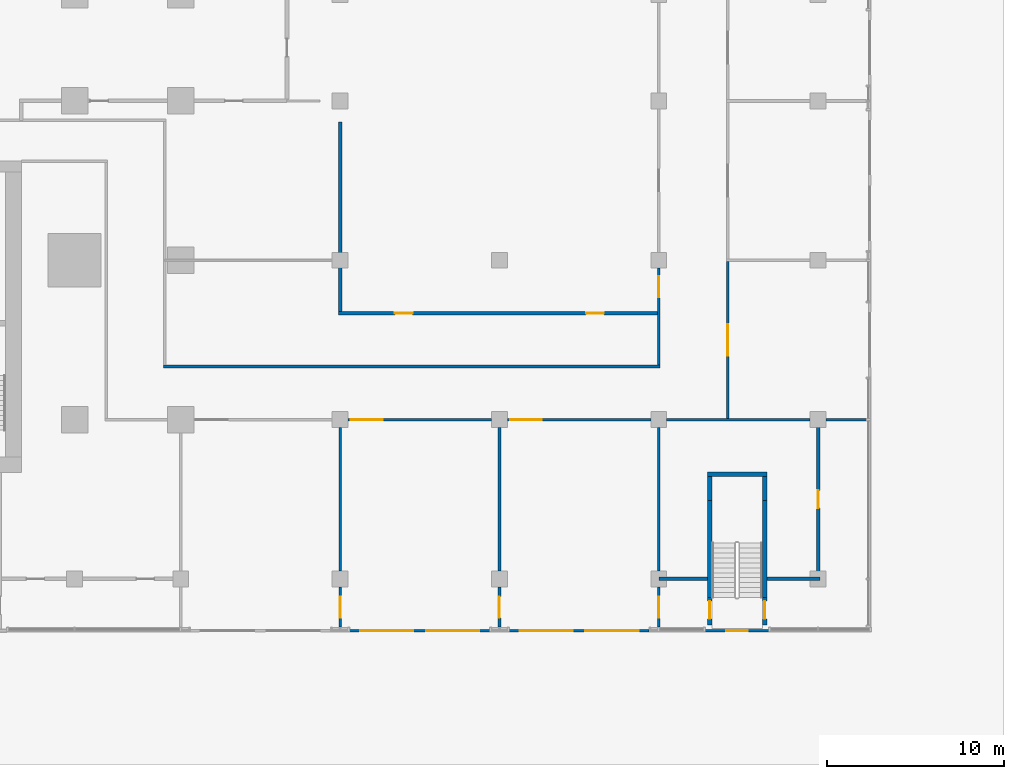
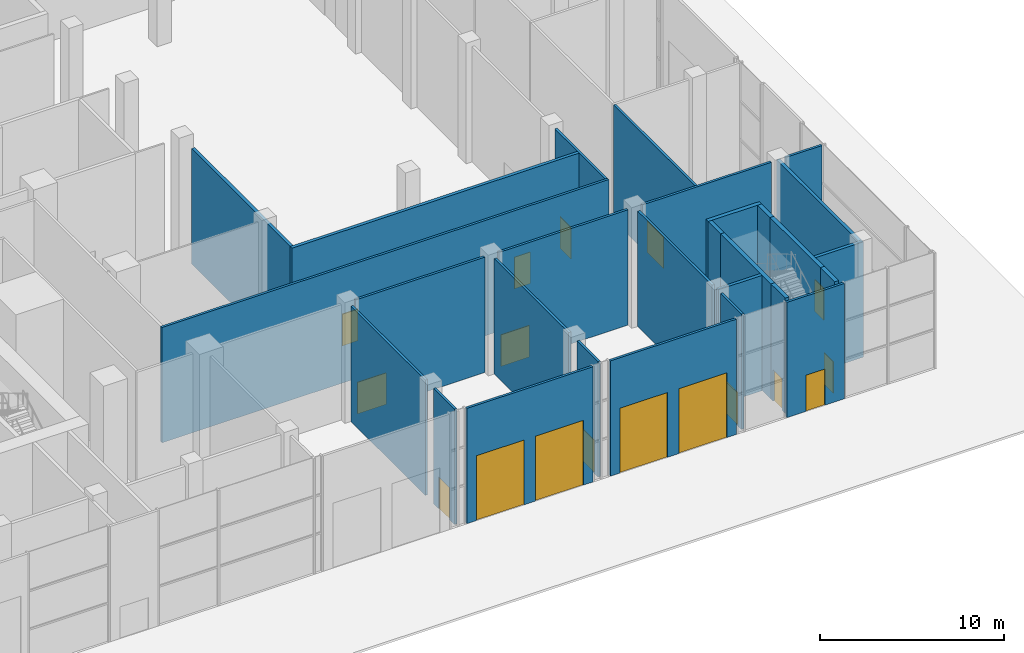
# One storey, part 22 of 29: 28 walls, 17 doors, 17 openings.
"""IFC4 building model written with IfcOpenShell, lengths in metres."""

from ifc_helpers import new_model, si_unit, direction, frame, frame_2d, origin, place, context, subcontext, project, spatial, rectangle, extrude, material, layer, layer_set, type_object, element, fill, save


model = new_model("IFC4")

# Units and contexts
model_context = context("Model", 3, precision=1e-05, world=origin(), true_north=direction((0.0, 1.0)))
body_context = subcontext(model_context, "Body", "Model", "MODEL_VIEW")
ifc_project = project(units=[si_unit("LENGTHUNIT", "METRE"), si_unit("AREAUNIT", "SQUARE_METRE"), si_unit("VOLUMEUNIT", "CUBIC_METRE"), si_unit("PLANEANGLEUNIT", "RADIAN"), si_unit("MASSUNIT", "GRAM", prefix="KILO")], contexts=[model_context])

# Site, building, storey
site_placement = place(None, origin())
site = spatial("IfcSite", under=ifc_project, at=site_placement, CompositionType="ELEMENT")
building_placement = place(site_placement, origin())
building = spatial("IfcBuilding", under=site, at=building_placement, Name="Finial Court Residences", CompositionType="ELEMENT")
storey_placement = place(building_placement, origin())
storey = spatial("IfcBuildingStorey", under=building, at=storey_placement, Name="L00", CompositionType="ELEMENT", Elevation=0.0)

# Walls
ifc_material_1 = material(Name="Gypsum board")
ifc_layer_1 = layer(ifc_material_1, 0.02490234375)
ifc_material_2 = material(Name="Acoustic mineral wool in double frame")
ifc_layer_2 = layer(ifc_material_2, 0.14990234375)
ifc_layer_3 = layer(ifc_material_1, 0.02490234375)
ifc_layer_set_1 = layer_set([ifc_layer_1, ifc_layer_2, ifc_layer_3], Name="Corridor wall 200, 1 hour")
wall_type_1 = type_object("IfcWallType", Name="Corridor wall 200, 1 hour", PredefinedType="PARTITIONING", material=ifc_layer_set_1)
wall_1_placement = place(storey_placement, frame((49.5, -31.5, 0.0), z_axis=(0.0, 0.0, 1.0), x_axis=(1.0, 0.0, 0.0)))
element("IfcWall", 1, at=wall_1_placement, inside=storey, type_object=wall_type_1, Name="Partition L00-004", PredefinedType="PARTITIONING", context=body_context, shape_type="SweptSolid", body=[
    extrude(rectangle(XDim=2.75, YDim=0.199951171875, at=frame_2d((1.375, 0.0))), origin(), (0.0, 0.0, 1.0), 7.64990234375),
])
wall_2_placement = place(storey_placement, frame((55.60009765625, -31.5, 0.0), z_axis=(0.0, 0.0, 1.0), x_axis=(1.0, 0.0, 0.0)))
element("IfcWall", 2, at=wall_2_placement, inside=storey, type_object=wall_type_1, Name="Partition L00-005", PredefinedType="PARTITIONING", context=body_context, shape_type="SweptSolid", body=[
    extrude(rectangle(XDim=3.0, YDim=0.199951171875, at=frame_2d((1.5, 0.0))), origin(), (0.0, 0.0, 1.0), 7.64990234375),
])

# Wall, openings, doors
wall_3_placement = place(storey_placement, frame((31.39990234375, -16.5, 0.0), z_axis=(0.0, 0.0, 1.0), x_axis=(1.0, 0.0, 0.0)))
wall_3 = element("IfcWall", 3, at=wall_3_placement, inside=storey, type_object=wall_type_1, Name="Partition L00-009", PredefinedType="PARTITIONING", context=body_context, shape_type="SweptSolid", body=[
    extrude(rectangle(XDim=18.10009765625, YDim=0.199951171875, at=frame_2d((9.050048828125, 0.0))), origin(), (0.0, 0.0, 1.0), 7.64990234375),
])
opening_1_placement = place(wall_3_placement, frame((3.199951171875, 0.0, 0.0)))
opening_1 = element("IfcOpeningElement", 4, at=opening_1_placement, cuts=wall_3, Name="Opening L00-D009", PredefinedType="OPENING", context=body_context, shape_type="SweptSolid", body=[
    extrude(rectangle(XDim=1.0, YDim=2.10009765625, at=frame_2d((0.5, 1.050048828125))), frame((0.0, 0.10986328125, 0.0), z_axis=(0.0, -1.0, 0.0), x_axis=(1.0, 0.0, 0.0)), (0.0, 0.0, 1.0), 0.219970703125),
])
opening_2_placement = place(wall_3_placement, frame((14.0, 0.0, 0.0)))
opening_2 = element("IfcOpeningElement", 5, at=opening_2_placement, cuts=wall_3, Name="Opening L00-D010", PredefinedType="OPENING", context=body_context, shape_type="SweptSolid", body=[
    extrude(rectangle(XDim=1.0, YDim=2.10009765625, at=frame_2d((0.5, 1.050048828125))), frame((0.0, 0.10986328125, 0.0), z_axis=(0.0, -1.0, 0.0), x_axis=(1.0, 0.0, 0.0)), (0.0, 0.0, 1.0), 0.219970703125),
])
ifc_material_3 = material(Name="Timber door leaf in hollow metal frame", Category="wood")
door_type_1 = type_object("IfcDoorType", Name="Fire door set 1000 x 2100, 30 minutes", OperationType="SINGLE_SWING_LEFT", PredefinedType="DOOR", material=ifc_material_3)
door_1_placement = place(opening_1_placement, origin())
door_1 = element("IfcDoor", 6, at=door_1_placement, inside=storey, type_object=door_type_1, Name="Door L00-D009", OperationType="SINGLE_SWING_LEFT", OverallHeight=2.10009765625, OverallWidth=1.0, PredefinedType="DOOR", context=body_context, shape_type="SweptSolid", body=[
    extrude(rectangle(XDim=1.0, YDim=2.10009765625, at=frame_2d((0.5, 1.050048828125))), frame((0.0, 0.02490234375, 0.0), z_axis=(0.0, -1.0, 0.0), x_axis=(1.0, 0.0, 0.0)), (0.0, 0.0, 1.0), 0.050048828125),
])
fill(opening_1, door_1)
door_2_placement = place(opening_2_placement, origin())
door_2 = element("IfcDoor", 7, at=door_2_placement, inside=storey, type_object=door_type_1, Name="Door L00-D010", OperationType="SINGLE_SWING_RIGHT", OverallHeight=2.10009765625, OverallWidth=1.0, PredefinedType="DOOR", context=body_context, shape_type="SweptSolid", body=[
    extrude(rectangle(XDim=1.0, YDim=2.10009765625, at=frame_2d((0.5, 1.050048828125))), frame((0.0, 0.02490234375, 0.0), z_axis=(0.0, -1.0, 0.0), x_axis=(1.0, 0.0, 0.0)), (0.0, 0.0, 1.0), 0.050048828125),
])
fill(opening_2, door_2)

# Wall
wall_4_placement = place(storey_placement, frame((31.5, -16.39990234375, 0.0), z_axis=(0.0, 0.0, 1.0), x_axis=(0.0, 1.0, 0.0)))
element("IfcWall", 8, at=wall_4_placement, inside=storey, type_object=wall_type_1, Name="Partition L00-048", PredefinedType="PARTITIONING", context=body_context, shape_type="SweptSolid", body=[
    extrude(rectangle(XDim=10.7099609375, YDim=0.199951171875, at=frame_2d((5.35498046875, 0.0))), origin(), (0.0, 0.0, 1.0), 7.64990234375),
])

# Wall, opening, door
wall_5_placement = place(storey_placement, frame((58.5, -31.39990234375, 0.0), z_axis=(0.0, 0.0, 1.0), x_axis=(0.0, 1.0, 0.0)))
wall_5 = element("IfcWall", 9, at=wall_5_placement, inside=storey, type_object=wall_type_1, Name="Partition L00-052", PredefinedType="PARTITIONING", context=body_context, shape_type="SweptSolid", body=[
    extrude(rectangle(XDim=8.89990234375, YDim=0.199951171875, at=frame_2d((4.449951171875, 0.0))), origin(), (0.0, 0.0, 1.0), 7.64990234375),
])
opening_3_placement = place(wall_5_placement, frame((3.89990234375, 0.0, 0.0)))
opening_3 = element("IfcOpeningElement", 10, at=opening_3_placement, cuts=wall_5, Name="Opening L00-D038", PredefinedType="OPENING", context=body_context, shape_type="SweptSolid", body=[
    extrude(rectangle(XDim=1.0, YDim=2.10009765625, at=frame_2d((0.5, 1.050048828125))), frame((0.0, 0.10986328125, 0.0), z_axis=(0.0, -1.0, 0.0), x_axis=(1.0, 0.0, 0.0)), (0.0, 0.0, 1.0), 0.219970703125),
])
door_3_placement = place(opening_3_placement, origin())
door_3 = element("IfcDoor", 11, at=door_3_placement, inside=storey, type_object=door_type_1, Name="Door L00-D038", OperationType="SINGLE_SWING_LEFT", OverallHeight=2.10009765625, OverallWidth=1.0, PredefinedType="DOOR", context=body_context, shape_type="SweptSolid", body=[
    extrude(rectangle(XDim=1.0, YDim=2.10009765625, at=frame_2d((0.5, 1.050048828125))), frame((0.0, 0.02490234375, 0.0), z_axis=(0.0, -1.0, 0.0), x_axis=(1.0, 0.0, 0.0)), (0.0, 0.0, 1.0), 0.050048828125),
])
fill(opening_3, door_3)

ifc_material_4 = material(Name="Natural limestone", Category="masonry")
ifc_layer_4 = layer(ifc_material_4, 0.14990234375)
ifc_layer_set_2 = layer_set([ifc_layer_4], Name="Entrance portal wall, limestone 150")
wall_type_2 = type_object("IfcWallType", Name="Entrance portal wall, limestone 150", PredefinedType="SOLIDWALL", material=ifc_layer_set_2)
wall_6_placement = place(storey_placement, frame((55.72509765625, -34.425048828125, 0.0), z_axis=(0.0, 0.0, 1.0), x_axis=(-1.0, 0.0, 0.0)))
wall_6 = element("IfcWall", 12, at=wall_6_placement, inside=storey, type_object=wall_type_2, Name="E-L00-ENT4", PredefinedType="SOLIDWALL", context=body_context, shape_type="SweptSolid", body=[
    extrude(rectangle(XDim=3.60009765625, YDim=0.14990234375, at=frame_2d((1.800048828125, 0.0))), origin(), (0.0, 0.0, 1.0), 7.64990234375),
])
opening_4_placement = place(wall_6_placement, frame((1.199951171875, 0.0, 0.0)))
opening_4 = element("IfcOpeningElement", 13, at=opening_4_placement, cuts=wall_6, Name="Opening DE00-04", PredefinedType="OPENING", context=body_context, shape_type="SweptSolid", body=[
    extrude(rectangle(XDim=1.199951171875, YDim=2.39990234375, at=frame_2d((0.60009765625, 1.199951171875))), frame((0.0, 0.0849609375, 0.0), z_axis=(0.0, -1.0, 0.0), x_axis=(1.0, 0.0, 0.0)), (0.0, 0.0, 1.0), 0.169921875),
])
ifc_material_5 = material(Name="Steel S355", Category="steel")
door_type_2 = type_object("IfcDoorType", Name="Stair discharge door 1200 x 2400", OperationType="SINGLE_SWING_LEFT", PredefinedType="DOOR", material=ifc_material_5)
door_4_placement = place(opening_4_placement, origin())
door_4 = element("IfcDoor", 14, at=door_4_placement, inside=storey, type_object=door_type_2, Name="E-L00-ENT4-D", OperationType="SINGLE_SWING_LEFT", OverallHeight=2.39990234375, OverallWidth=1.199951171875, PredefinedType="DOOR", context=body_context, shape_type="SweptSolid", body=[
    extrude(rectangle(XDim=1.199951171875, YDim=2.39990234375, at=frame_2d((0.60009765625, 1.199951171875))), frame((0.0, 0.02490234375, 0.0), z_axis=(0.0, -1.0, 0.0), x_axis=(1.0, 0.0, 0.0)), (0.0, 0.0, 1.0), 0.050048828125),
])
fill(opening_4, door_4)

# Wall, openings, doors
wall_7_placement = place(storey_placement, frame((39.958251953125, -34.425048828125, 0.0), z_axis=(0.0, 0.0, 1.0), x_axis=(-1.0, 0.0, 0.0)))
wall_7 = element("IfcWall", 15, at=wall_7_placement, inside=storey, type_object=wall_type_2, Name="E-L00-ENT25", PredefinedType="SOLIDWALL", context=body_context, shape_type="SweptSolid", body=[
    extrude(rectangle(XDim=7.91650390625, YDim=0.14990234375, at=frame_2d((3.958251953125, 0.0))), origin(), (0.0, 0.0, 1.0), 7.64990234375),
])
opening_5_placement = place(wall_7_placement, frame((4.316650390625, 0.0, 0.0)))
opening_5 = element("IfcOpeningElement", 16, at=opening_5_placement, cuts=wall_7, Name="Opening DE00-27", PredefinedType="OPENING", context=body_context, shape_type="SweptSolid", body=[
    extrude(rectangle(XDim=3.0, YDim=4.300048828125, at=frame_2d((1.5, 2.14990234375))), frame((0.0, 0.0849609375, 0.0), z_axis=(0.0, -1.0, 0.0), x_axis=(1.0, 0.0, 0.0)), (0.0, 0.0, 1.0), 0.169921875),
])
opening_6_placement = place(wall_7_placement, frame((0.60009765625, 0.0, 0.0)))
opening_6 = element("IfcOpeningElement", 17, at=opening_6_placement, cuts=wall_7, Name="Opening DE00-28", PredefinedType="OPENING", context=body_context, shape_type="SweptSolid", body=[
    extrude(rectangle(XDim=3.0, YDim=4.300048828125, at=frame_2d((1.5, 2.14990234375))), frame((0.0, 0.0849609375, 0.0), z_axis=(0.0, -1.0, 0.0), x_axis=(1.0, 0.0, 0.0)), (0.0, 0.0, 1.0), 0.169921875),
])
door_type_3 = type_object("IfcDoorType", Name="Dock door, overhead sectional 3000 x 4300", OperationType="ROLLINGUP", PredefinedType="DOOR", material=ifc_material_5)
door_5_placement = place(opening_5_placement, origin())
door_5 = element("IfcDoor", 18, at=door_5_placement, inside=storey, type_object=door_type_3, Name="E-L00-ENT25-D1", OperationType="ROLLINGUP", OverallHeight=4.300048828125, OverallWidth=3.0, PredefinedType="DOOR", context=body_context, shape_type="SweptSolid", body=[
    extrude(rectangle(XDim=3.0, YDim=4.300048828125, at=frame_2d((1.5, 2.14990234375))), frame((0.0, 0.02490234375, 0.0), z_axis=(0.0, -1.0, 0.0), x_axis=(1.0, 0.0, 0.0)), (0.0, 0.0, 1.0), 0.050048828125),
])
fill(opening_5, door_5)
door_6_placement = place(opening_6_placement, origin())
door_6 = element("IfcDoor", 19, at=door_6_placement, inside=storey, type_object=door_type_3, Name="E-L00-ENT25-D2", OperationType="ROLLINGUP", OverallHeight=4.300048828125, OverallWidth=3.0, PredefinedType="DOOR", context=body_context, shape_type="SweptSolid", body=[
    extrude(rectangle(XDim=3.0, YDim=4.300048828125, at=frame_2d((1.5, 2.14990234375))), frame((0.0, 0.02490234375, 0.0), z_axis=(0.0, -1.0, 0.0), x_axis=(1.0, 0.0, 0.0)), (0.0, 0.0, 1.0), 0.050048828125),
])
fill(opening_6, door_6)

wall_8_placement = place(storey_placement, frame((48.958251953125, -34.425048828125, 0.0), z_axis=(0.0, 0.0, 1.0), x_axis=(-1.0, 0.0, 0.0)))
wall_8 = element("IfcWall", 20, at=wall_8_placement, inside=storey, type_object=wall_type_2, Name="E-L00-ENT26", PredefinedType="SOLIDWALL", context=body_context, shape_type="SweptSolid", body=[
    extrude(rectangle(XDim=7.91650390625, YDim=0.14990234375, at=frame_2d((3.958251953125, 0.0))), origin(), (0.0, 0.0, 1.0), 7.64990234375),
])
opening_7_placement = place(wall_8_placement, frame((4.316650390625, 0.0, 0.0)))
opening_7 = element("IfcOpeningElement", 21, at=opening_7_placement, cuts=wall_8, Name="Opening DE00-29", PredefinedType="OPENING", context=body_context, shape_type="SweptSolid", body=[
    extrude(rectangle(XDim=3.0, YDim=4.300048828125, at=frame_2d((1.5, 2.14990234375))), frame((0.0, 0.0849609375, 0.0), z_axis=(0.0, -1.0, 0.0), x_axis=(1.0, 0.0, 0.0)), (0.0, 0.0, 1.0), 0.169921875),
])
opening_8_placement = place(wall_8_placement, frame((0.60009765625, 0.0, 0.0)))
opening_8 = element("IfcOpeningElement", 22, at=opening_8_placement, cuts=wall_8, Name="Opening DE00-30", PredefinedType="OPENING", context=body_context, shape_type="SweptSolid", body=[
    extrude(rectangle(XDim=3.0, YDim=4.300048828125, at=frame_2d((1.5, 2.14990234375))), frame((0.0, 0.0849609375, 0.0), z_axis=(0.0, -1.0, 0.0), x_axis=(1.0, 0.0, 0.0)), (0.0, 0.0, 1.0), 0.169921875),
])
door_7_placement = place(opening_7_placement, origin())
door_7 = element("IfcDoor", 23, at=door_7_placement, inside=storey, type_object=door_type_3, Name="E-L00-ENT26-D1", OperationType="ROLLINGUP", OverallHeight=4.300048828125, OverallWidth=3.0, PredefinedType="DOOR", context=body_context, shape_type="SweptSolid", body=[
    extrude(rectangle(XDim=3.0, YDim=4.300048828125, at=frame_2d((1.5, 2.14990234375))), frame((0.0, 0.02490234375, 0.0), z_axis=(0.0, -1.0, 0.0), x_axis=(1.0, 0.0, 0.0)), (0.0, 0.0, 1.0), 0.050048828125),
])
fill(opening_7, door_7)
door_8_placement = place(opening_8_placement, origin())
door_8 = element("IfcDoor", 24, at=door_8_placement, inside=storey, type_object=door_type_3, Name="E-L00-ENT26-D2", OperationType="ROLLINGUP", OverallHeight=4.300048828125, OverallWidth=3.0, PredefinedType="DOOR", context=body_context, shape_type="SweptSolid", body=[
    extrude(rectangle(XDim=3.0, YDim=4.300048828125, at=frame_2d((1.5, 2.14990234375))), frame((0.0, 0.02490234375, 0.0), z_axis=(0.0, -1.0, 0.0), x_axis=(1.0, 0.0, 0.0)), (0.0, 0.0, 1.0), 0.050048828125),
])
fill(opening_8, door_8)

# Wall, opening, door
ifc_material_6 = material(Name="Concrete C25/30", Category="concrete")
ifc_layer_5 = layer(ifc_material_6, 0.14990234375)
ifc_layer_set_3 = layer_set([ifc_layer_5], Name="Service partition 150 Concrete C25/30")
wall_type_3 = type_object("IfcWallType", Name="Service partition 150 Concrete C25/30", PredefinedType="PARTITIONING", material=ifc_layer_set_3)
wall_9_placement = place(storey_placement, frame((31.949951171875, -22.5, 0.0), z_axis=(0.0, 0.0, 1.0), x_axis=(1.0, 0.0, 0.0)))
wall_9 = element("IfcWall", 25, at=wall_9_placement, inside=storey, type_object=wall_type_3, Name="Service partition L00-V003", PredefinedType="PARTITIONING", context=body_context, shape_type="SweptSolid", body=[
    extrude(rectangle(XDim=8.10009765625, YDim=0.14990234375, at=frame_2d((4.050048828125, 0.0))), origin(), (0.0, 0.0, 1.0), 7.64990234375),
])
opening_9_placement = place(wall_9_placement, frame((0.14990234375, 0.0, 0.0)))
opening_9 = element("IfcOpeningElement", 26, at=opening_9_placement, cuts=wall_9, Name="Opening L00-V08", PredefinedType="OPENING", context=body_context, shape_type="SweptSolid", body=[
    extrude(rectangle(XDim=1.800048828125, YDim=2.10009765625, at=frame_2d((0.89990234375, 1.050048828125))), frame((0.0, 0.0849609375, 0.0), z_axis=(0.0, -1.0, 0.0), x_axis=(1.0, 0.0, 0.0)), (0.0, 0.0, 1.0), 0.169921875),
])
ifc_material_7 = material(Name="Steel fire door", Category="steel")
door_type_4 = type_object("IfcDoorType", Name="Service double door 1800 x 2100 EI 60", OperationType="DOUBLE_DOOR_SINGLE_SWING", PredefinedType="DOOR", material=ifc_material_7)
door_9_placement = place(opening_9_placement, origin())
door_9 = element("IfcDoor", 27, at=door_9_placement, inside=storey, type_object=door_type_4, Name="Service double door L00-V08", OperationType="DOUBLE_DOOR_SINGLE_SWING", OverallHeight=2.10009765625, OverallWidth=1.800048828125, PredefinedType="DOOR", context=body_context, shape_type="SweptSolid", body=[
    extrude(rectangle(XDim=1.800048828125, YDim=2.10009765625, at=frame_2d((0.89990234375, 1.050048828125))), frame((0.0, 0.02490234375, 0.0), z_axis=(0.0, -1.0, 0.0), x_axis=(1.0, 0.0, 0.0)), (0.0, 0.0, 1.0), 0.050048828125),
])
fill(opening_9, door_9)

wall_10_placement = place(storey_placement, frame((40.949951171875, -22.5, 0.0), z_axis=(0.0, 0.0, 1.0), x_axis=(1.0, 0.0, 0.0)))
wall_10 = element("IfcWall", 28, at=wall_10_placement, inside=storey, type_object=wall_type_3, Name="Service partition L00-V004", PredefinedType="PARTITIONING", context=body_context, shape_type="SweptSolid", body=[
    extrude(rectangle(XDim=8.10009765625, YDim=0.14990234375, at=frame_2d((4.050048828125, 0.0))), origin(), (0.0, 0.0, 1.0), 7.64990234375),
])
opening_10_placement = place(wall_10_placement, frame((0.14990234375, 0.0, 0.0)))
opening_10 = element("IfcOpeningElement", 29, at=opening_10_placement, cuts=wall_10, Name="Opening L00-V10", PredefinedType="OPENING", context=body_context, shape_type="SweptSolid", body=[
    extrude(rectangle(XDim=1.800048828125, YDim=2.10009765625, at=frame_2d((0.89990234375, 1.050048828125))), frame((0.0, 0.0849609375, 0.0), z_axis=(0.0, -1.0, 0.0), x_axis=(1.0, 0.0, 0.0)), (0.0, 0.0, 1.0), 0.169921875),
])
door_10_placement = place(opening_10_placement, origin())
door_10 = element("IfcDoor", 30, at=door_10_placement, inside=storey, type_object=door_type_4, Name="Service double door L00-V10", OperationType="DOUBLE_DOOR_SINGLE_SWING", OverallHeight=2.10009765625, OverallWidth=1.800048828125, PredefinedType="DOOR", context=body_context, shape_type="SweptSolid", body=[
    extrude(rectangle(XDim=1.800048828125, YDim=2.10009765625, at=frame_2d((0.89990234375, 1.050048828125))), frame((0.0, 0.02490234375, 0.0), z_axis=(0.0, -1.0, 0.0), x_axis=(1.0, 0.0, 0.0)), (0.0, 0.0, 1.0), 0.050048828125),
])
fill(opening_10, door_10)

# Walls
wall_11_placement = place(storey_placement, frame((49.949951171875, -22.5, 0.0), z_axis=(0.0, 0.0, 1.0), x_axis=(1.0, 0.0, 0.0)))
element("IfcWall", 31, at=wall_11_placement, inside=storey, type_object=wall_type_3, Name="Service partition L00-V005", PredefinedType="PARTITIONING", context=body_context, shape_type="SweptSolid", body=[
    extrude(rectangle(XDim=8.10009765625, YDim=0.14990234375, at=frame_2d((4.050048828125, 0.0))), origin(), (0.0, 0.0, 1.0), 7.64990234375),
])
wall_12_placement = place(storey_placement, frame((58.949951171875, -22.5, 0.0), z_axis=(0.0, 0.0, 1.0), x_axis=(1.0, 0.0, 0.0)))
element("IfcWall", 32, at=wall_12_placement, inside=storey, type_object=wall_type_3, Name="Service partition L00-V006", PredefinedType="PARTITIONING", context=body_context, shape_type="SweptSolid", body=[
    extrude(rectangle(XDim=2.275146484375, YDim=0.14990234375, at=frame_2d((1.1376953125, 0.0))), origin(), (0.0, 0.0, 1.0), 7.64990234375),
])
wall_13_placement = place(storey_placement, frame((21.52490234375, -19.5, 0.0), z_axis=(0.0, 0.0, 1.0), x_axis=(1.0, 0.0, 0.0)))
element("IfcWall", 33, at=wall_13_placement, inside=storey, type_object=wall_type_3, Name="Service partition L00-V007", PredefinedType="PARTITIONING", context=body_context, shape_type="SweptSolid", body=[
    extrude(rectangle(XDim=28.050048828125, YDim=0.14990234375, at=frame_2d((14.02490234375, 0.0))), origin(), (0.0, 0.0, 1.0), 7.64990234375),
])

# Wall, opening, door
wall_14_placement = place(storey_placement, frame((31.5, -31.949951171875, 0.0), z_axis=(0.0, 0.0, 1.0), x_axis=(0.0, -1.0, 0.0)))
wall_14 = element("IfcWall", 34, at=wall_14_placement, inside=storey, type_object=wall_type_3, Name="Service partition L00-V032", PredefinedType="PARTITIONING", context=body_context, shape_type="SweptSolid", body=[
    extrude(rectangle(XDim=2.275146484375, YDim=0.14990234375, at=frame_2d((1.1376953125, 0.0))), origin(), (0.0, 0.0, 1.0), 7.64990234375),
])
opening_11_placement = place(wall_14_placement, frame((0.550048828125, 0.0, 0.0)))
opening_11 = element("IfcOpeningElement", 35, at=opening_11_placement, cuts=wall_14, Name="Opening L00-V05", PredefinedType="OPENING", context=body_context, shape_type="SweptSolid", body=[
    extrude(rectangle(XDim=1.199951171875, YDim=2.10009765625, at=frame_2d((0.60009765625, 1.050048828125))), frame((0.0, 0.0849609375, 0.0), z_axis=(0.0, -1.0, 0.0), x_axis=(1.0, 0.0, 0.0)), (0.0, 0.0, 1.0), 0.169921875),
])
door_type_5 = type_object("IfcDoorType", Name="Service access door 1200 x 2100 EI 60", OperationType="NOTDEFINED", PredefinedType="DOOR", material=ifc_material_7)
door_11_placement = place(opening_11_placement, origin())
door_11 = element("IfcDoor", 36, at=door_11_placement, inside=storey, type_object=door_type_5, Name="Service access door L00-V05", OperationType="SINGLE_SWING_RIGHT", OverallHeight=2.10009765625, OverallWidth=1.199951171875, PredefinedType="DOOR", context=body_context, shape_type="SweptSolid", body=[
    extrude(rectangle(XDim=1.199951171875, YDim=2.10009765625, at=frame_2d((0.60009765625, 1.050048828125))), frame((0.0, 0.02490234375, 0.0), z_axis=(0.0, -1.0, 0.0), x_axis=(1.0, 0.0, 0.0)), (0.0, 0.0, 1.0), 0.050048828125),
])
fill(opening_11, door_11)

# Wall
wall_15_placement = place(storey_placement, frame((31.5, -31.050048828125, 0.0), z_axis=(0.0, 0.0, 1.0), x_axis=(0.0, 1.0, 0.0)))
element("IfcWall", 37, at=wall_15_placement, inside=storey, type_object=wall_type_3, Name="Service partition L00-V033", PredefinedType="PARTITIONING", context=body_context, shape_type="SweptSolid", body=[
    extrude(rectangle(XDim=8.10009765625, YDim=0.14990234375, at=frame_2d((4.050048828125, 0.0))), origin(), (0.0, 0.0, 1.0), 7.64990234375),
])

# Wall, opening, door
wall_16_placement = place(storey_placement, frame((40.5, -31.949951171875, 0.0), z_axis=(0.0, 0.0, 1.0), x_axis=(0.0, -1.0, 0.0)))
wall_16 = element("IfcWall", 38, at=wall_16_placement, inside=storey, type_object=wall_type_3, Name="Service partition L00-V034", PredefinedType="PARTITIONING", context=body_context, shape_type="SweptSolid", body=[
    extrude(rectangle(XDim=2.275146484375, YDim=0.14990234375, at=frame_2d((1.1376953125, 0.0))), origin(), (0.0, 0.0, 1.0), 7.64990234375),
])
opening_12_placement = place(wall_16_placement, frame((0.550048828125, 0.0, 0.0)))
opening_12 = element("IfcOpeningElement", 39, at=opening_12_placement, cuts=wall_16, Name="Opening L00-V07", PredefinedType="OPENING", context=body_context, shape_type="SweptSolid", body=[
    extrude(rectangle(XDim=1.199951171875, YDim=2.10009765625, at=frame_2d((0.60009765625, 1.050048828125))), frame((0.0, 0.0849609375, 0.0), z_axis=(0.0, -1.0, 0.0), x_axis=(1.0, 0.0, 0.0)), (0.0, 0.0, 1.0), 0.169921875),
])
door_12_placement = place(opening_12_placement, origin())
door_12 = element("IfcDoor", 40, at=door_12_placement, inside=storey, type_object=door_type_5, Name="Service access door L00-V07", OperationType="SINGLE_SWING_RIGHT", OverallHeight=2.10009765625, OverallWidth=1.199951171875, PredefinedType="DOOR", context=body_context, shape_type="SweptSolid", body=[
    extrude(rectangle(XDim=1.199951171875, YDim=2.10009765625, at=frame_2d((0.60009765625, 1.050048828125))), frame((0.0, 0.02490234375, 0.0), z_axis=(0.0, -1.0, 0.0), x_axis=(1.0, 0.0, 0.0)), (0.0, 0.0, 1.0), 0.050048828125),
])
fill(opening_12, door_12)

# Wall
wall_17_placement = place(storey_placement, frame((40.5, -31.050048828125, 0.0), z_axis=(0.0, 0.0, 1.0), x_axis=(0.0, 1.0, 0.0)))
element("IfcWall", 41, at=wall_17_placement, inside=storey, type_object=wall_type_3, Name="Service partition L00-V035", PredefinedType="PARTITIONING", context=body_context, shape_type="SweptSolid", body=[
    extrude(rectangle(XDim=8.10009765625, YDim=0.14990234375, at=frame_2d((4.050048828125, 0.0))), origin(), (0.0, 0.0, 1.0), 7.64990234375),
])

# Wall, opening, door
wall_18_placement = place(storey_placement, frame((49.5, -31.949951171875, 0.0), z_axis=(0.0, 0.0, 1.0), x_axis=(0.0, -1.0, 0.0)))
wall_18 = element("IfcWall", 42, at=wall_18_placement, inside=storey, type_object=wall_type_3, Name="Service partition L00-V036", PredefinedType="PARTITIONING", context=body_context, shape_type="SweptSolid", body=[
    extrude(rectangle(XDim=2.275146484375, YDim=0.14990234375, at=frame_2d((1.1376953125, 0.0))), origin(), (0.0, 0.0, 1.0), 7.64990234375),
])
opening_13_placement = place(wall_18_placement, frame((0.550048828125, 0.0, 0.0)))
opening_13 = element("IfcOpeningElement", 43, at=opening_13_placement, cuts=wall_18, Name="Opening L00-V09", PredefinedType="OPENING", context=body_context, shape_type="SweptSolid", body=[
    extrude(rectangle(XDim=1.199951171875, YDim=2.10009765625, at=frame_2d((0.60009765625, 1.050048828125))), frame((0.0, 0.0849609375, 0.0), z_axis=(0.0, -1.0, 0.0), x_axis=(1.0, 0.0, 0.0)), (0.0, 0.0, 1.0), 0.169921875),
])
door_13_placement = place(opening_13_placement, origin())
door_13 = element("IfcDoor", 44, at=door_13_placement, inside=storey, type_object=door_type_5, Name="Service access door L00-V09", OperationType="SINGLE_SWING_LEFT", OverallHeight=2.10009765625, OverallWidth=1.199951171875, PredefinedType="DOOR", context=body_context, shape_type="SweptSolid", body=[
    extrude(rectangle(XDim=1.199951171875, YDim=2.10009765625, at=frame_2d((0.60009765625, 1.050048828125))), frame((0.0, 0.02490234375, 0.0), z_axis=(0.0, -1.0, 0.0), x_axis=(1.0, 0.0, 0.0)), (0.0, 0.0, 1.0), 0.050048828125),
])
fill(opening_13, door_13)

# Wall
wall_19_placement = place(storey_placement, frame((49.5, -31.050048828125, 0.0), z_axis=(0.0, 0.0, 1.0), x_axis=(0.0, 1.0, 0.0)))
element("IfcWall", 45, at=wall_19_placement, inside=storey, type_object=wall_type_3, Name="Service partition L00-V037", PredefinedType="PARTITIONING", context=body_context, shape_type="SweptSolid", body=[
    extrude(rectangle(XDim=8.10009765625, YDim=0.14990234375, at=frame_2d((4.050048828125, 0.0))), origin(), (0.0, 0.0, 1.0), 7.64990234375),
])

# Wall, opening, door
wall_20_placement = place(storey_placement, frame((49.5, -19.425048828125, 0.0), z_axis=(0.0, 0.0, 1.0), x_axis=(0.0, 1.0, 0.0)))
wall_20 = element("IfcWall", 46, at=wall_20_placement, inside=storey, type_object=wall_type_3, Name="Service partition L00-V038", PredefinedType="PARTITIONING", context=body_context, shape_type="SweptSolid", body=[
    extrude(rectangle(XDim=5.47509765625, YDim=0.14990234375, at=frame_2d((2.737548828125, 0.0))), origin(), (0.0, 0.0, 1.0), 7.64990234375),
])
opening_14_placement = place(wall_20_placement, frame((3.824951171875, 0.0, 0.0)))
opening_14 = element("IfcOpeningElement", 47, at=opening_14_placement, cuts=wall_20, Name="Opening L00-V14", PredefinedType="OPENING", context=body_context, shape_type="SweptSolid", body=[
    extrude(rectangle(XDim=1.199951171875, YDim=2.10009765625, at=frame_2d((0.60009765625, 1.050048828125))), frame((0.0, 0.0849609375, 0.0), z_axis=(0.0, -1.0, 0.0), x_axis=(1.0, 0.0, 0.0)), (0.0, 0.0, 1.0), 0.169921875),
])
door_14_placement = place(opening_14_placement, origin())
door_14 = element("IfcDoor", 48, at=door_14_placement, inside=storey, type_object=door_type_5, Name="Service access door L00-V14", OperationType="SINGLE_SWING_LEFT", OverallHeight=2.10009765625, OverallWidth=1.199951171875, PredefinedType="DOOR", context=body_context, shape_type="SweptSolid", body=[
    extrude(rectangle(XDim=1.199951171875, YDim=2.10009765625, at=frame_2d((0.60009765625, 1.050048828125))), frame((0.0, 0.02490234375, 0.0), z_axis=(0.0, -1.0, 0.0), x_axis=(1.0, 0.0, 0.0)), (0.0, 0.0, 1.0), 0.050048828125),
])
fill(opening_14, door_14)

wall_21_placement = place(storey_placement, frame((53.39990234375, -22.425048828125, 0.0), z_axis=(0.0, 0.0, 1.0), x_axis=(0.0, 1.0, 0.0)))
wall_21 = element("IfcWall", 49, at=wall_21_placement, inside=storey, type_object=wall_type_3, Name="Service partition L00-V044", PredefinedType="PARTITIONING", context=body_context, shape_type="SweptSolid", body=[
    extrude(rectangle(XDim=8.85009765625, YDim=0.14990234375, at=frame_2d((4.425048828125, 0.0))), origin(), (0.0, 0.0, 1.0), 7.64990234375),
])
opening_15_placement = place(wall_21_placement, frame((3.52490234375, 0.0, 0.0)))
opening_15 = element("IfcOpeningElement", 50, at=opening_15_placement, cuts=wall_21, Name="Opening L00-V13", PredefinedType="OPENING", context=body_context, shape_type="SweptSolid", body=[
    extrude(rectangle(XDim=1.800048828125, YDim=2.10009765625, at=frame_2d((0.89990234375, 1.050048828125))), frame((0.0, 0.0849609375, 0.0), z_axis=(0.0, -1.0, 0.0), x_axis=(1.0, 0.0, 0.0)), (0.0, 0.0, 1.0), 0.169921875),
])
door_15_placement = place(opening_15_placement, origin())
door_15 = element("IfcDoor", 51, at=door_15_placement, inside=storey, type_object=door_type_4, Name="Service double door L00-V13", OperationType="DOUBLE_DOOR_SINGLE_SWING", OverallHeight=2.10009765625, OverallWidth=1.800048828125, PredefinedType="DOOR", context=body_context, shape_type="SweptSolid", body=[
    extrude(rectangle(XDim=1.800048828125, YDim=2.10009765625, at=frame_2d((0.89990234375, 1.050048828125))), frame((0.0, 0.02490234375, 0.0), z_axis=(0.0, -1.0, 0.0), x_axis=(1.0, 0.0, 0.0)), (0.0, 0.0, 1.0), 0.050048828125),
])
fill(opening_15, door_15)

ifc_material_8 = material(Name="Concrete C50/60", Category="concrete")
ifc_layer_6 = layer(ifc_material_8, 0.25)
ifc_layer_set_4 = layer_set([ifc_layer_6], Name="Stair enclosure wall 250 Concrete C50/60")
wall_type_4 = type_object("IfcWallType", Name="Stair enclosure wall 250 Concrete C50/60", PredefinedType="SHEAR", material=ifc_layer_set_4)
wall_22_placement = place(storey_placement, frame((52.375, -32.550048828125, 0.0), z_axis=(0.0, 0.0, 1.0), x_axis=(0.0, -1.0, 0.0)))
wall_22 = element("IfcWall", 52, at=wall_22_placement, inside=storey, type_object=wall_type_4, Name="Exit Stair 3 enclosure wall L00-W1", PredefinedType="SHEAR", context=body_context, shape_type="SweptSolid", body=[
    extrude(rectangle(XDim=1.550048828125, YDim=0.25, at=frame_2d((0.77490234375, 0.0))), origin(), (0.0, 0.0, 1.0), 7.64990234375),
])
opening_16_placement = place(wall_22_placement, frame((0.199951171875, 0.0, 0.0)))
opening_16 = element("IfcOpeningElement", 53, at=opening_16_placement, cuts=wall_22, Name="Opening L00-S3", PredefinedType="OPENING", context=body_context, shape_type="SweptSolid", body=[
    extrude(rectangle(XDim=1.0, YDim=2.10009765625, at=frame_2d((0.5, 1.050048828125))), frame((0.0, 0.135009765625, 0.0), z_axis=(0.0, -1.0, 0.0), x_axis=(1.0, 0.0, 0.0)), (0.0, 0.0, 1.0), 0.27001953125),
])
door_type_6 = type_object("IfcDoorType", Name="Stair door 1000 x 2100 EI 90", OperationType="NOTDEFINED", PredefinedType="DOOR", material=ifc_material_7)
door_16_placement = place(opening_16_placement, origin())
door_16 = element("IfcDoor", 54, at=door_16_placement, inside=storey, type_object=door_type_6, Name="Exit Stair 3 door L00", OperationType="SINGLE_SWING_RIGHT", OverallHeight=2.10009765625, OverallWidth=1.0, PredefinedType="DOOR", context=body_context, shape_type="SweptSolid", body=[
    extrude(rectangle(XDim=1.0, YDim=2.10009765625, at=frame_2d((0.5, 1.050048828125))), frame((0.0, 0.02490234375, 0.0), z_axis=(0.0, -1.0, 0.0), x_axis=(1.0, 0.0, 0.0)), (0.0, 0.0, 1.0), 0.050048828125),
])
fill(opening_16, door_16)

# Walls
wall_23_placement = place(storey_placement, frame((52.375, -32.550048828125, 0.0), z_axis=(0.0, 0.0, 1.0), x_axis=(0.0, 1.0, 0.0)))
element("IfcWall", 55, at=wall_23_placement, inside=storey, type_object=wall_type_4, Name="Exit Stair 3 enclosure wall L00-W2", PredefinedType="SHEAR", context=body_context, shape_type="SweptSolid", body=[
    extrude(rectangle(XDim=5.47998046875, YDim=0.25, at=frame_2d((2.739990234375, 0.0))), origin(), (0.0, 0.0, 1.0), 7.64990234375),
])
wall_24_placement = place(storey_placement, frame((52.375, -27.070068359375, 0.0), z_axis=(0.0, 0.0, 1.0), x_axis=(0.0, 1.0, 0.0)))
element("IfcWall", 56, at=wall_24_placement, inside=storey, type_object=wall_type_4, Name="Exit Stair 3 enclosure wall L00-W3", PredefinedType="SHEAR", context=body_context, shape_type="SweptSolid", body=[
    extrude(rectangle(XDim=1.35009765625, YDim=0.25, at=frame_2d((0.675048828125, 0.0))), origin(), (0.0, 0.0, 1.0), 7.64990234375),
])

# Wall, opening, door
wall_25_placement = place(storey_placement, frame((55.47509765625, -34.10009765625, 0.0), z_axis=(0.0, 0.0, 1.0), x_axis=(0.0, 1.0, 0.0)))
wall_25 = element("IfcWall", 57, at=wall_25_placement, inside=storey, type_object=wall_type_4, Name="Exit Stair 3 enclosure wall L00-E1", PredefinedType="SHEAR", context=body_context, shape_type="SweptSolid", body=[
    extrude(rectangle(XDim=1.550048828125, YDim=0.25, at=frame_2d((0.77490234375, 0.0))), origin(), (0.0, 0.0, 1.0), 7.64990234375),
])
opening_17_placement = place(wall_25_placement, frame((0.35009765625, 0.0, 0.0)))
opening_17 = element("IfcOpeningElement", 58, at=opening_17_placement, cuts=wall_25, Name="Opening L00-S3E", PredefinedType="OPENING", context=body_context, shape_type="SweptSolid", body=[
    extrude(rectangle(XDim=1.0, YDim=2.10009765625, at=frame_2d((0.5, 1.050048828125))), frame((0.0, 0.135009765625, 0.0), z_axis=(0.0, -1.0, 0.0), x_axis=(1.0, 0.0, 0.0)), (0.0, 0.0, 1.0), 0.27001953125),
])
door_17_placement = place(opening_17_placement, origin())
door_17 = element("IfcDoor", 59, at=door_17_placement, inside=storey, type_object=door_type_6, Name="Exit Stair 3 east door L00", OperationType="SINGLE_SWING_LEFT", OverallHeight=2.10009765625, OverallWidth=1.0, PredefinedType="DOOR", context=body_context, shape_type="SweptSolid", body=[
    extrude(rectangle(XDim=1.0, YDim=2.10009765625, at=frame_2d((0.5, 1.050048828125))), frame((0.0, 0.02490234375, 0.0), z_axis=(0.0, -1.0, 0.0), x_axis=(1.0, 0.0, 0.0)), (0.0, 0.0, 1.0), 0.050048828125),
])
fill(opening_17, door_17)

# Walls
wall_26_placement = place(storey_placement, frame((55.47509765625, -32.550048828125, 0.0), z_axis=(0.0, 0.0, 1.0), x_axis=(0.0, 1.0, 0.0)))
element("IfcWall", 60, at=wall_26_placement, inside=storey, type_object=wall_type_4, Name="Exit Stair 3 enclosure wall L00-E2", PredefinedType="SHEAR", context=body_context, shape_type="SweptSolid", body=[
    extrude(rectangle(XDim=5.47998046875, YDim=0.25, at=frame_2d((2.739990234375, 0.0))), origin(), (0.0, 0.0, 1.0), 7.64990234375),
])
wall_27_placement = place(storey_placement, frame((55.47509765625, -27.070068359375, 0.0), z_axis=(0.0, 0.0, 1.0), x_axis=(0.0, 1.0, 0.0)))
element("IfcWall", 61, at=wall_27_placement, inside=storey, type_object=wall_type_4, Name="Exit Stair 3 enclosure wall L00-E3", PredefinedType="SHEAR", context=body_context, shape_type="SweptSolid", body=[
    extrude(rectangle(XDim=1.35009765625, YDim=0.25, at=frame_2d((0.675048828125, 0.0))), origin(), (0.0, 0.0, 1.0), 7.64990234375),
])
wall_28_placement = place(storey_placement, frame((52.25, -25.594970703125, 0.0), z_axis=(0.0, 0.0, 1.0), x_axis=(1.0, 0.0, 0.0)))
element("IfcWall", 62, at=wall_28_placement, inside=storey, type_object=wall_type_4, Name="Exit Stair 3 enclosure wall L00-N", PredefinedType="SHEAR", context=body_context, shape_type="SweptSolid", body=[
    extrude(rectangle(XDim=3.35009765625, YDim=0.25, at=frame_2d((1.675048828125, 0.0))), origin(), (0.0, 0.0, 1.0), 7.64990234375),
])

save(model, "model.ifc")
